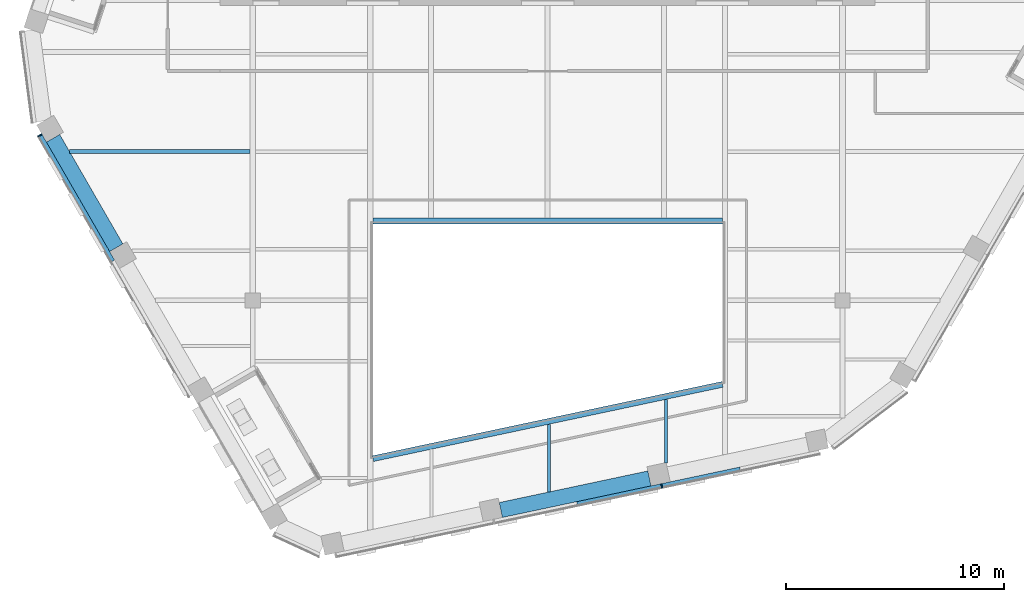
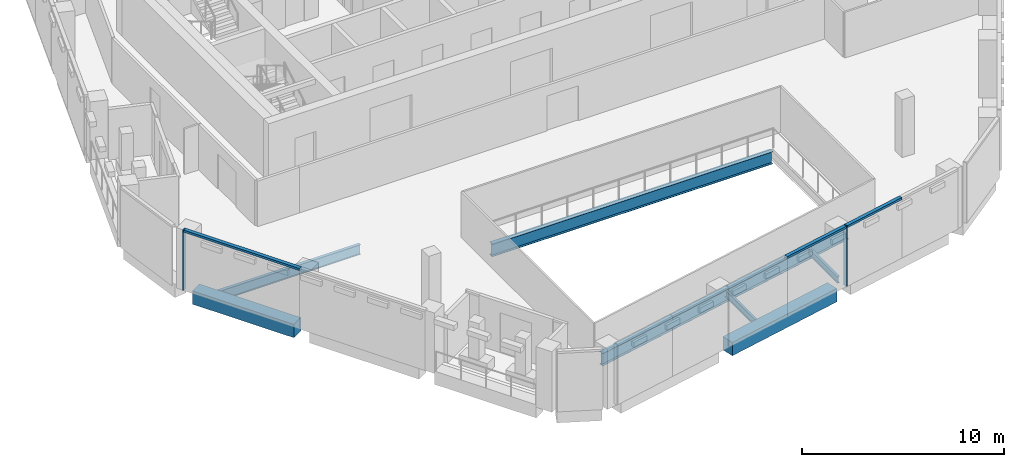
# One storey, part 3 of 22: 7 beams, 5 members, 2 elements without a shape of their own.
"""IFC4 building model written with IfcOpenShell, lengths in metres."""

import ifcopenshell
import ifcopenshell.guid

model = None  # the IFC model being written
_history = None  # IfcOwnerHistory: only IFC2X3 demands one
_inside = {}  # id of a spatial element -> (the spatial element, [elements in it])
_under = {}  # id of a project, library or spatial element -> (it, [spatial elements below it])
_declared = {}  # id of a project -> (the project, [libraries it declares])
_typed = {}  # id of a type object -> (the type object, [elements of that type])
_made_of = {}  # id of a material, layer set ... -> (it, [elements and type objects made of it])


def new_model(schema):
    """Start an empty IFC model of exactly this schema.

    Asked for "IFC4X3", IfcOpenShell would pick the latest addendum, in which some entities
    have other attributes; the version numbers below select the first issue.
    IFC2X3 requires an IfcOwnerHistory on every rooted entity: one is made here for all.
    """
    global model, _history
    if schema == "IFC4X3":
        model = ifcopenshell.file(schema_version=(4, 3, 0, 0))
    else:
        model = ifcopenshell.file(schema=schema)
    _inside.clear()
    _under.clear()
    _declared.clear()
    _typed.clear()
    _made_of.clear()
    _history = None
    if model.schema == "IFC2X3":
        org = make("IfcOrganization", Name="unknown")
        user = make(
            "IfcPersonAndOrganization",
            ThePerson=make("IfcPerson", FamilyName="unknown"),
            TheOrganization=org,
        )
        app = make(
            "IfcApplication",
            ApplicationDeveloper=org,
            Version="unknown",
            ApplicationFullName="unknown",
            ApplicationIdentifier="unknown",
        )
        _history = make(
            "IfcOwnerHistory",
            OwningUser=user,
            OwningApplication=app,
            ChangeAction="ADDED",
            CreationDate=0,
        )
    return model


def make(cls, **values):
    """One entity of the class cls with the attributes given. An attribute that is None is left unset."""
    return model.create_entity(
        cls, **{name: value for name, value in values.items() if value is not None}
    )


def rooted(cls, **values):
    """An entity with a GlobalId (a new one), such as an element, a storey or a relation."""
    return make(cls, GlobalId=ifcopenshell.guid.new(), OwnerHistory=_history, **values)


def si_unit(unit_type, name, prefix=None):
    """IfcSIUnit, for example si_unit("LENGTHUNIT", "METRE", prefix="MILLI")."""
    return make("IfcSIUnit", UnitType=unit_type, Prefix=prefix, Name=name)


def assignment(units):
    """IfcUnitAssignment: the units of a project."""
    return None if units is None else make("IfcUnitAssignment", Units=units)


def point(xyz):
    """IfcCartesianPoint."""
    return None if xyz is None else make("IfcCartesianPoint", Coordinates=xyz)


def direction(xyz):
    """IfcDirection."""
    return None if xyz is None else make("IfcDirection", DirectionRatios=xyz)


def frame(location, z_axis=None, x_axis=None):
    """IfcAxis2Placement3D, a coordinate frame: its origin and axes. An axis left out is left unset."""
    return make(
        "IfcAxis2Placement3D",
        Location=point(location),
        Axis=direction(z_axis),
        RefDirection=direction(x_axis),
    )


def frame_2d(location, x_axis=None):
    """IfcAxis2Placement2D, a coordinate frame in the plane: its origin and x axis."""
    return make(
        "IfcAxis2Placement2D", Location=point(location), RefDirection=direction(x_axis)
    )


def origin():
    """The frame at (0, 0, 0) with its axes left unset."""
    return frame((0.0, 0.0, 0.0))


def origin_2d():
    """The frame at (0, 0) in the plane with its x axis left unset."""
    return frame_2d((0.0, 0.0))


def place(relative_to, where):
    """IfcLocalPlacement: puts the frame where relative to a parent placement (None: the world)."""
    return make(
        "IfcLocalPlacement", PlacementRelTo=relative_to, RelativePlacement=where
    )


def context(
    kind, dimensions, precision=None, world=None, true_north=None, identifier=None
):
    """IfcGeometricRepresentationContext, for example the 3D "Model" context."""
    return make(
        "IfcGeometricRepresentationContext",
        ContextIdentifier=identifier,
        ContextType=kind,
        CoordinateSpaceDimension=dimensions,
        Precision=precision,
        WorldCoordinateSystem=world,
        TrueNorth=true_north,
    )


def subcontext(parent, identifier, kind, view, scale=None):
    """IfcGeometricRepresentationSubContext, for example "Body" below "Model"."""
    return make(
        "IfcGeometricRepresentationSubContext",
        ContextIdentifier=identifier,
        ContextType=kind,
        ParentContext=parent,
        TargetScale=scale,
        TargetView=view,
    )


def project(units=None, contexts=None):
    """IfcProject with its units and contexts."""
    return rooted(
        "IfcProject",
        Name="project",
        RepresentationContexts=contexts,
        UnitsInContext=assignment(units),
    )


def spatial(cls, under=None, at=None, **own):
    """A site, building, storey or space (cls), placed at a placement, below another one or the project."""
    s = rooted(cls, ObjectPlacement=at, **own)
    if under is not None:
        _under.setdefault(under.id(), (under, []))[1].append(s)
    return s


def profile(cls, at=None, kind="AREA", **sizes):
    """A parametric profile (cls). Its sizes go by their IFC names, for example OverallWidth=200.0."""
    return make(cls, ProfileType=kind, Position=at, **sizes)


def rectangle(**sizes):
    """IfcRectangleProfileDef."""
    return profile("IfcRectangleProfileDef", **sizes)


def i_section(**sizes):
    """IfcIShapeProfileDef."""
    return profile("IfcIShapeProfileDef", **sizes)


def extrude(swept, where, along, depth):
    """IfcExtrudedAreaSolid: the profile swept, set in the frame where, extruded along a direction by depth."""
    return make(
        "IfcExtrudedAreaSolid",
        SweptArea=swept,
        Position=where,
        ExtrudedDirection=direction(along),
        Depth=depth,
    )


def shape(context_of_items, identifier, shape_type, items):
    """IfcShapeRepresentation: the items that make up one representation, for example the "Body"."""
    return make(
        "IfcShapeRepresentation",
        ContextOfItems=context_of_items,
        RepresentationIdentifier=identifier,
        RepresentationType=shape_type,
        Items=items,
    )


def material(Name=None, Category=None):
    """IfcMaterial."""
    return make("IfcMaterial", Name=Name, Category=Category)


def layer(
    of_material, thickness, ventilated=None, Name=None, Category=None, Priority=None
):
    """IfcMaterialLayer: one layer of a wall or slab, of a material (None: an air gap)."""
    return make(
        "IfcMaterialLayer",
        Material=of_material,
        LayerThickness=thickness,
        IsVentilated=ventilated,
        Name=Name,
        Category=Category,
        Priority=Priority,
    )


def layer_set(layers, Name=None):
    """IfcMaterialLayerSet."""
    return make("IfcMaterialLayerSet", MaterialLayers=layers, LayerSetName=Name)


def material_profile(
    of_material, cross_section, Name=None, Category=None, Priority=None
):
    """IfcMaterialProfile: a cross section and its material."""
    return make(
        "IfcMaterialProfile",
        Name=Name,
        Material=of_material,
        Profile=cross_section,
        Priority=Priority,
        Category=Category,
    )


def profile_set(profiles, Name=None, composite=None):
    """IfcMaterialProfileSet."""
    return make(
        "IfcMaterialProfileSet",
        Name=Name,
        MaterialProfiles=profiles,
        CompositeProfile=composite,
    )


def made_of(thing, what):
    """Note that an element or type object is made of a material, layer set ...; save() writes the relation."""
    if what is not None:
        _made_of.setdefault(what.id(), (what, []))[1].append(thing)
    return thing


def type_object(cls, material=None, **own):
    """A type object (cls), such as IfcWallType, which elements share."""
    return made_of(rooted(cls, **own), material)


def element(
    cls,
    number,
    at=None,
    inside=None,
    cuts=None,
    type_object=None,
    material=None,
    context=None,
    identifier="Body",
    shape_type=None,
    held_by="IfcProductDefinitionShape",
    body=None,
    shapes=None,
    **own,
):
    """One element of the class cls, such as IfcWall. Its Tag is "e" and its number.

    at: its placement. inside: the storey or other place that contains it. cuts: it is an
    opening in that element (IfcRelVoidsElement). A single representation is given by context,
    identifier, shape_type and body (its items); several are given by shapes. held_by: the class
    of the entity that holds the representations. save() writes the other relations.
    """
    e = rooted(cls, Tag="e%d" % number, ObjectPlacement=at, **own)
    if body is not None:
        shapes = [shape(context, identifier, shape_type, body)]
    if shapes is not None:
        e.Representation = make(held_by, Representations=shapes)
    if inside is not None:
        _inside.setdefault(inside.id(), (inside, []))[1].append(e)
    if cuts is not None:
        rooted(
            "IfcRelVoidsElement", RelatingBuildingElement=cuts, RelatedOpeningElement=e
        )
    if type_object is not None:
        _typed.setdefault(type_object.id(), (type_object, []))[1].append(e)
    return made_of(e, material)


def aggregate(whole, parts):
    """IfcRelAggregates: a whole, such as a stair, and the parts it consists of."""
    return rooted("IfcRelAggregates", RelatingObject=whole, RelatedObjects=parts)


def save(model, path):
    """Write the relations noted so far, then the file.

    IfcRelAggregates (storeys below a building ...), IfcRelContainedInSpatialStructure (elements
    in a storey), IfcRelDefinesByType, IfcRelAssociatesMaterial and IfcRelDeclares: one each for
    every whole, place, type object, material and project.
    """
    for whole, parts in _under.values():
        aggregate(whole, parts)
    for where, things in _inside.values():
        rooted(
            "IfcRelContainedInSpatialStructure",
            RelatedElements=things,
            RelatingStructure=where,
        )
    for kind, things in _typed.values():
        rooted("IfcRelDefinesByType", RelatedObjects=things, RelatingType=kind)
    for what, things in _made_of.values():
        rooted("IfcRelAssociatesMaterial", RelatedObjects=things, RelatingMaterial=what)
    for by, libraries in _declared.values():
        rooted("IfcRelDeclares", RelatingContext=by, RelatedDefinitions=libraries)
    model.write(path)


model = new_model("IFC4")

# Units and contexts
model_context = context("Model", 3, precision=1e-05, world=origin(), true_north=direction((0.0, 1.0)))
body_context = subcontext(model_context, "Body", "Model", "MODEL_VIEW")
ifc_project = project(units=[si_unit("LENGTHUNIT", "METRE"), si_unit("AREAUNIT", "SQUARE_METRE"), si_unit("VOLUMEUNIT", "CUBIC_METRE"), si_unit("PLANEANGLEUNIT", "RADIAN"), si_unit("MASSUNIT", "GRAM", prefix="KILO")], contexts=[model_context])

# Site, building, storey
site_placement = place(None, origin())
site = spatial("IfcSite", under=ifc_project, at=site_placement, CompositionType="ELEMENT")
building_placement = place(site_placement, origin())
building = spatial("IfcBuilding", under=site, at=building_placement, Name="Isthmus Gate Tower", CompositionType="ELEMENT")
storey_placement = place(building_placement, frame((0.0, 0.0, 264.60009765625)))
storey = spatial("IfcBuildingStorey", under=building, at=storey_placement, Name="L67", CompositionType="ELEMENT", Elevation=264.60009765625)

# Curtain wall, member
ifc_material_1 = material(Name="Aluminium, pale champagne anodised", Category="aluminium")
ifc_layer = layer(ifc_material_1, 0.199951171875)
ifc_layer_set = layer_set([ifc_layer], Name="CW-1 UNITISED CURTAIN WALL 200 DEEP")
curtain_wall_type = type_object("IfcCurtainWallType", Name="CW-1 UNITISED CURTAIN WALL 200 DEEP", PredefinedType="NOTDEFINED", material=ifc_layer_set)
curtain_wall_1_placement = place(storey_placement, origin())
curtain_wall_1 = element("IfcCurtainWall", 1, at=curtain_wall_1_placement, inside=storey, type_object=curtain_wall_type, Name="CW-1 SW L67", PredefinedType="NOTDEFINED")
ifc_material_2 = material(Name="Aluminium, pale champagne anodised", Category="aluminium")
ifc_material_profile_1 = material_profile(ifc_material_2, rectangle(XDim=0.06005859375, YDim=0.199951171875, at=origin_2d()), Name="60x200")
ifc_profile_set_1 = profile_set([ifc_material_profile_1], Name="Aluminium, pale champagne anodised")
member_type_1 = type_object("IfcMemberType", Name="CW-1 MULLION 60 X 200", PredefinedType="MULLION", material=ifc_profile_set_1)
member_1_placement = place(storey_placement, frame((-23.244873046875, -5.938720703125, 0.0), z_axis=(0.0, 0.0, 1.0), x_axis=(0.5, -0.866025403784, 0.0)))
member_1 = element("IfcMember", 2, at=member_1_placement, type_object=member_type_1, Name="CW-1 mullion", PredefinedType="MULLION", context=body_context, shape_type="SweptSolid", body=[
    extrude(rectangle(XDim=0.06005859375, YDim=0.199951171875, at=origin_2d()), origin(), (0.0, 0.0, 1.0), 3.64990234375),
])

curtain_wall_2_placement = place(storey_placement, origin())
curtain_wall_2 = element("IfcCurtainWall", 3, at=curtain_wall_2_placement, inside=storey, type_object=curtain_wall_type, Name="CW-1 S L67", PredefinedType="NOTDEFINED")
member_2_placement = place(storey_placement, frame((5.222900390625, -21.991943359375, 0.0), z_axis=(0.0, 0.0, 1.0), x_axis=(0.978147600734, 0.207911690818, 0.0)))
member_2 = element("IfcMember", 4, at=member_2_placement, type_object=member_type_1, Name="CW-1 mullion", PredefinedType="MULLION", context=body_context, shape_type="SweptSolid", body=[
    extrude(rectangle(XDim=0.06005859375, YDim=0.199951171875, at=origin_2d()), origin(), (0.0, 0.0, 1.0), 3.64990234375),
])

# Member
ifc_material_3 = material(Name="Aluminium, pale champagne anodised", Category="aluminium")
ifc_material_profile_2 = material_profile(ifc_material_3, rectangle(XDim=0.199951171875, YDim=0.1298828125, at=origin_2d()), Name="200x130")
ifc_profile_set_2 = profile_set([ifc_material_profile_2], Name="Aluminium, pale champagne anodised")
member_type_2 = type_object("IfcMemberType", Name="CW-1 TRANSOM 200 X 130", PredefinedType="USERDEFINED", material=ifc_profile_set_2)
member_3_placement = place(storey_placement, frame((-23.22998046875, -5.964599609375, 3.5849609375), z_axis=(0.49999574405, -0.866027860944, 0.0), x_axis=(0.866027860944, 0.49999574405, 0.0)))
member_3 = element("IfcMember", 5, at=member_3_placement, type_object=member_type_2, Name="CW-1 transom", ObjectType="TRANSOM", PredefinedType="USERDEFINED", context=body_context, shape_type="SweptSolid", body=[
    extrude(rectangle(XDim=0.199951171875, YDim=0.1298828125, at=origin_2d()), origin(), (0.0, 0.0, 1.0), 6.62451171875),
])

aggregate(curtain_wall_1, [member_1, member_3])

member_4_placement = place(storey_placement, frame((1.35107421875, -22.81494140625, 3.5849609375), z_axis=(0.978153006411, 0.207886257478, 0.0), x_axis=(-0.207886257478, 0.978153006411, 0.0)))
member_4 = element("IfcMember", 6, at=member_4_placement, type_object=member_type_2, Name="CW-1 transom", ObjectType="TRANSOM", PredefinedType="USERDEFINED", context=body_context, shape_type="SweptSolid", body=[
    extrude(rectangle(XDim=0.199951171875, YDim=0.1298828125, at=origin_2d()), origin(), (0.0, 0.0, 1.0), 3.928466796875),
])

member_5_placement = place(storey_placement, frame((5.25244140625, -21.98583984375, 3.5849609375), z_axis=(0.978143350472, 0.207931685724, 0.0), x_axis=(-0.207931685724, 0.978143350472, 0.0)))
member_5 = element("IfcMember", 7, at=member_5_placement, type_object=member_type_2, Name="CW-1 transom", ObjectType="TRANSOM", PredefinedType="USERDEFINED", context=body_context, shape_type="SweptSolid", body=[
    extrude(rectangle(XDim=0.199951171875, YDim=0.1298828125, at=origin_2d()), origin(), (0.0, 0.0, 1.0), 3.643310546875),
])

aggregate(curtain_wall_2, [member_4, member_2, member_5])

# Beams
ifc_material_4 = material(Name="Concrete f'c 50 MPa", Category="concrete")
ifc_material_profile_3 = material_profile(ifc_material_4, rectangle(XDim=0.699951171875, YDim=0.800048828125, at=origin_2d()), Name="RC 700X800")
ifc_profile_set_3 = profile_set([ifc_material_profile_3], Name="Concrete f'c 50 MPa")
beam_type_1 = type_object("IfcBeamType", Name="RC SPANDREL 700 X 800", PredefinedType="SPANDREL", material=ifc_profile_set_3)
beam_1_placement = place(storey_placement, frame((4.659912109375, -21.651611328125, -0.400146484375), z_axis=(-0.978143150477, -0.207932626528, 0.0), x_axis=(0.207932626528, -0.978143150477, 0.0)))
element("IfcBeam", 8, at=beam_1_placement, inside=storey, type_object=beam_type_1, Name="str-spandrel-L67-10", PredefinedType="SPANDREL", context=body_context, shape_type="SweptSolid", body=[
    extrude(rectangle(XDim=0.699951171875, YDim=0.800048828125, at=origin_2d()), origin(), (0.0, 0.0, 1.0), 6.956787109375),
])
beam_2_placement = place(storey_placement, frame((-19.7529296875, -11.0869140625, -0.400146484375), z_axis=(-0.500011073467, 0.866019010421, 0.0), x_axis=(-0.866019010421, -0.500011073467, 0.0)))
element("IfcBeam", 9, at=beam_2_placement, inside=storey, type_object=beam_type_1, Name="str-spandrel-L67-15", PredefinedType="SPANDREL", context=body_context, shape_type="SweptSolid", body=[
    extrude(rectangle(XDim=0.699951171875, YDim=0.800048828125, at=origin_2d()), origin(), (0.0, 0.0, 1.0), 5.784423828125),
])
ifc_material_5 = material(Name="Structural steel ASTM A992 Gr 50", Category="steel")
ifc_material_profile_4 = material_profile(ifc_material_5, i_section(OverallWidth=0.1396484375, OverallDepth=0.4033203125, WebThickness=0.00634765625, FlangeThickness=0.010986328125, at=origin_2d()), Name="W16X31")
ifc_profile_set_4 = profile_set([ifc_material_profile_4], Name="Structural steel ASTM A992 Gr 50")
beam_type_2 = type_object("IfcBeamType", Name="STEEL FLOOR BEAM W16X31", PredefinedType="JOIST", material=ifc_profile_set_4)
beam_3_placement = place(storey_placement, frame((0.05712890625, -22.272216796875, -0.351806640625), z_axis=(0.0, 1.0, 0.0), x_axis=(-1.0, 0.0, 0.0)))
element("IfcBeam", 10, at=beam_3_placement, inside=storey, type_object=beam_type_2, Name="str-beam-L67-07-01", PredefinedType="JOIST", context=body_context, shape_type="SweptSolid", body=[
    extrude(i_section(OverallWidth=0.1396484375, OverallDepth=0.4033203125, WebThickness=0.00634765625, FlangeThickness=0.010986328125, at=origin_2d()), origin(), (0.0, 0.0, 1.0), 3.10107421875),
])
beam_4_placement = place(storey_placement, frame((5.428466796875, -20.939208984375, -0.351806640625), z_axis=(0.0, 1.0, 0.0), x_axis=(-1.0, 0.0, 0.0)))
element("IfcBeam", 11, at=beam_4_placement, inside=storey, type_object=beam_type_2, Name="str-beam-L67-07-02", PredefinedType="JOIST", context=body_context, shape_type="SweptSolid", body=[
    extrude(i_section(OverallWidth=0.1396484375, OverallDepth=0.4033203125, WebThickness=0.00634765625, FlangeThickness=0.010986328125, at=origin_2d()), origin(), (0.0, 0.0, 1.0), 2.909912109375),
])
ifc_material_6 = material(Name="Structural steel ASTM A992 Gr 50", Category="steel")
ifc_material_profile_5 = material_profile(ifc_material_6, i_section(OverallWidth=0.177734375, OverallDepth=0.60009765625, WebThickness=0.009521484375, FlangeThickness=0.0126953125, at=origin_2d()), Name="W24X55")
ifc_profile_set_5 = profile_set([ifc_material_profile_5], Name="Structural steel ASTM A992 Gr 50")
beam_type_3 = type_object("IfcBeamType", Name="STEEL FLOOR BEAM W24X55", PredefinedType="JOIST", material=ifc_profile_set_5)
beam_5_placement = place(storey_placement, frame((-21.89453125, -6.677490234375, -0.4501953125), z_axis=(1.0, 0.0, 0.0), x_axis=(0.0, 1.0, 0.0)))
element("IfcBeam", 12, at=beam_5_placement, inside=storey, type_object=beam_type_3, Name="str-beam-L67-01-01", PredefinedType="JOIST", context=body_context, shape_type="SweptSolid", body=[
    extrude(i_section(OverallWidth=0.177734375, OverallDepth=0.60009765625, WebThickness=0.009521484375, FlangeThickness=0.0126953125, at=origin_2d()), origin(), (0.0, 0.0, 1.0), 8.2626953125),
])
ifc_material_7 = material(Name="Structural steel ASTM A992 Gr 50", Category="steel")
ifc_material_profile_6 = material_profile(ifc_material_7, i_section(OverallWidth=0.2666015625, OverallDepth=0.7587890625, WebThickness=0.014404296875, FlangeThickness=0.01904296875, at=origin_2d()), Name="W30X108")
ifc_profile_set_6 = profile_set([ifc_material_profile_6], Name="Structural steel ASTM A992 Gr 50")
beam_type_4 = type_object("IfcBeamType", Name="STEEL TRIMMER W30X108", PredefinedType="BEAM", material=ifc_profile_set_6)
beam_6_placement = place(storey_placement, frame((-8.0, -20.747314453125, -0.529541015625), z_axis=(0.978147924985, 0.20791016533, 0.0), x_axis=(-0.20791016533, 0.978147924985, 0.0)))
element("IfcBeam", 13, at=beam_6_placement, inside=storey, type_object=beam_type_4, Name="str-trimmer-L67-03", PredefinedType="BEAM", context=body_context, shape_type="SweptSolid", body=[
    extrude(i_section(OverallWidth=0.2666015625, OverallDepth=0.7587890625, WebThickness=0.014404296875, FlangeThickness=0.01904296875, at=origin_2d()), origin(), (0.0, 0.0, 1.0), 16.357421875),
])
beam_7_placement = place(storey_placement, frame((8.0, -9.86669921875, -0.529541015625), z_axis=(-1.0, 0.0, 0.0), x_axis=(0.0, -1.0, 0.0)))
element("IfcBeam", 14, at=beam_7_placement, inside=storey, type_object=beam_type_4, Name="str-trimmer-L67-04", PredefinedType="BEAM", context=body_context, shape_type="SweptSolid", body=[
    extrude(i_section(OverallWidth=0.2666015625, OverallDepth=0.7587890625, WebThickness=0.014404296875, FlangeThickness=0.01904296875, at=origin_2d()), origin(), (0.0, 0.0, 1.0), 16.0),
])

save(model, "model.ifc")
